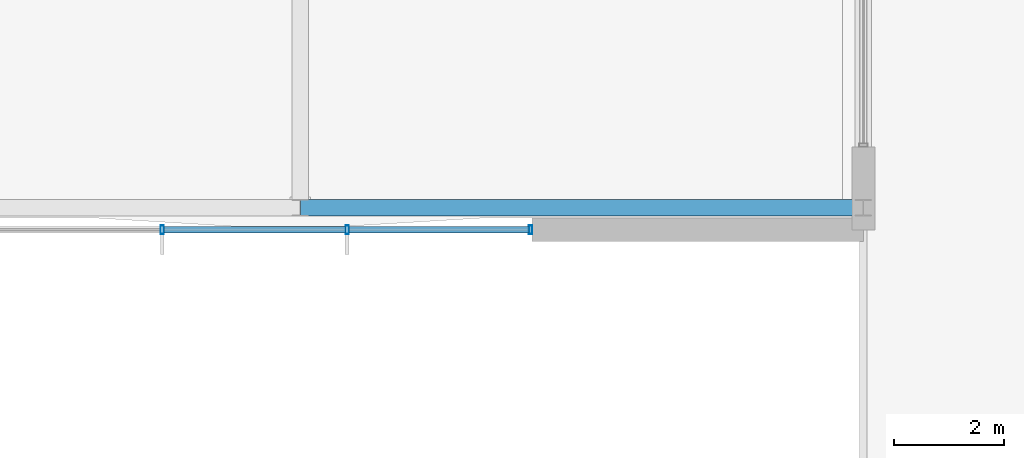
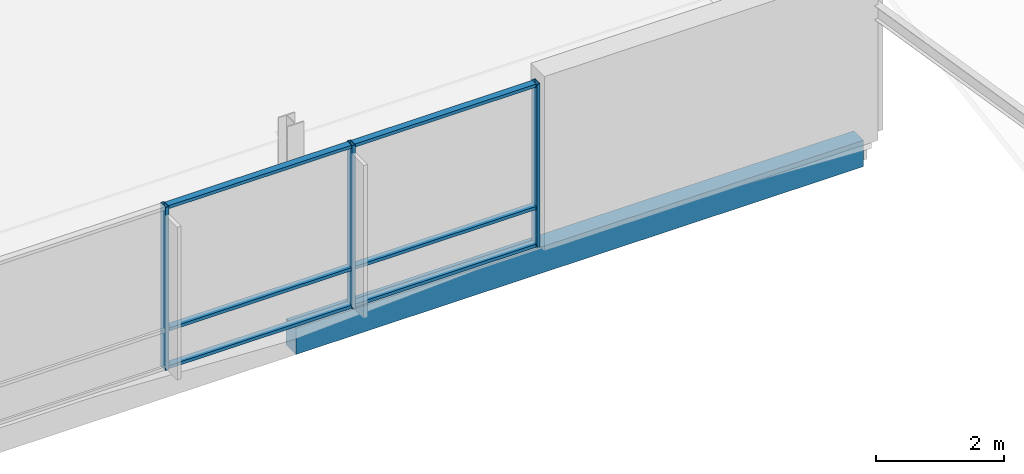
# One storey, part 91 of 189: 9 members, 1 beam, 1 element without a shape of its own.
"""IFC4 building model written with IfcOpenShell, lengths in metres."""

from ifc_helpers import new_model, si_unit, direction, frame, origin, origin_2d, place, context, subcontext, project, spatial, rectangle, hollow_rectangle, extrude, material, material_profile, profile_set, type_object, element, aggregate, save


model = new_model("IFC4")

# Units and contexts
model_context = context("Model", 3, precision=1e-05, world=origin(), true_north=direction((0.0, 1.0)))
body_context = subcontext(model_context, "Body", "Model", "MODEL_VIEW")
ifc_project = project(units=[si_unit("LENGTHUNIT", "METRE"), si_unit("AREAUNIT", "SQUARE_METRE"), si_unit("VOLUMEUNIT", "CUBIC_METRE"), si_unit("PLANEANGLEUNIT", "RADIAN"), si_unit("MASSUNIT", "GRAM", prefix="KILO")], contexts=[model_context])

# Site, building, storey
site_placement = place(None, origin())
site = spatial("IfcSite", under=ifc_project, at=site_placement, CompositionType="ELEMENT")
building_placement = place(site_placement, origin())
building = spatial("IfcBuilding", under=site, at=building_placement, Name="Zavelmont Quarter", CompositionType="ELEMENT")
storey_placement = place(building_placement, frame((0.0, 0.0, 4.39990234375)))
storey = spatial("IfcBuildingStorey", under=building, at=storey_placement, Name="L01", CompositionType="ELEMENT", Elevation=4.39990234375)

# Beam
ifc_material_1 = material(Name="Concrete C35/45", Category="concrete")
ifc_material_profile_1 = material_profile(ifc_material_1, rectangle(XDim=0.300048828125, YDim=0.5, at=origin_2d()), Name="RC300X500")
ifc_profile_set_1 = profile_set([ifc_material_profile_1], Name="Concrete C35/45")
beam_type = type_object("IfcBeamType", Name="BM03", PredefinedType="BEAM", material=ifc_profile_set_1)
beam_placement = place(storey_placement, frame((65.800048828125, 102.0, -0.52978515625), z_axis=(1.0, 0.0, 0.0), x_axis=(0.0, 1.0, 0.0)))
element("IfcBeam", 1, at=beam_placement, inside=storey, type_object=beam_type, Name="L01 beam BM03 10/Q to 12/Q", PredefinedType="BEAM", context=body_context, shape_type="SweptSolid", body=[
    extrude(rectangle(XDim=0.300048828125, YDim=0.5, at=origin_2d()), origin(), (0.0, 0.0, 1.0), 10.199951171875),
])

# Curtain wall, members
ifc_material_2 = material(Name="Thermally broken aluminium and double low-E safety glazing", Category="aluminium")
curtain_wall_type = type_object("IfcCurtainWallType", Name="CW-1340X310", PredefinedType="NOTDEFINED", material=ifc_material_2)
curtain_wall_placement = place(storey_placement, origin())
curtain_wall = element("IfcCurtainWall", 2, at=curtain_wall_placement, inside=storey, type_object=curtain_wall_type, Name="L01 unitised curtain wall CW-1340X310", PredefinedType="NOTDEFINED")
ifc_material_3 = material(Name="Powder-coated aluminium EN AW-6063-T6", Category="aluminium")
ifc_material_profile_2 = material_profile(ifc_material_3, hollow_rectangle(XDim=0.06005859375, YDim=0.159912109375, WallThickness=0.00390625, at=origin_2d()), Name="CWM60X160")
ifc_profile_set_2 = profile_set([ifc_material_profile_2], Name="Powder-coated aluminium EN AW-6063-T6")
member_type_1 = type_object("IfcMemberType", Name="CWM01", PredefinedType="MULLION", material=ifc_profile_set_2)
member_1_placement = place(storey_placement, frame((63.300048828125, 101.60009765625, 0.0), z_axis=(0.0, 0.0, 1.0), x_axis=(1.0, 0.0, 0.0)))
member_1 = element("IfcMember", 3, at=member_1_placement, type_object=member_type_1, Name="CW-1340X310 mullion 3", PredefinedType="MULLION", context=body_context, shape_type="SweptSolid", body=[
    extrude(hollow_rectangle(XDim=0.06005859375, YDim=0.159912109375, WallThickness=0.00390625, at=origin_2d()), origin(), (0.0, 0.0, 1.0), 3.10009765625),
])
member_2_placement = place(storey_placement, frame((66.64990234375, 101.60009765625, 0.0), z_axis=(0.0, 0.0, 1.0), x_axis=(1.0, 0.0, 0.0)))
member_2 = element("IfcMember", 4, at=member_2_placement, type_object=member_type_1, Name="CW-1340X310 mullion 4", PredefinedType="MULLION", context=body_context, shape_type="SweptSolid", body=[
    extrude(hollow_rectangle(XDim=0.06005859375, YDim=0.159912109375, WallThickness=0.00390625, at=origin_2d()), origin(), (0.0, 0.0, 1.0), 3.10009765625),
])
member_3_placement = place(storey_placement, frame((69.969970703125, 101.60009765625, 0.0), z_axis=(0.0, 0.0, 1.0), x_axis=(1.0, 0.0, 0.0)))
member_3 = element("IfcMember", 5, at=member_3_placement, type_object=member_type_1, Name="CW-1340X310 mullion 5", PredefinedType="MULLION", context=body_context, shape_type="SweptSolid", body=[
    extrude(hollow_rectangle(XDim=0.06005859375, YDim=0.159912109375, WallThickness=0.00390625, at=origin_2d()), origin(), (0.0, 0.0, 1.0), 3.10009765625),
])
ifc_material_profile_3 = material_profile(ifc_material_3, hollow_rectangle(XDim=0.1201171875, YDim=0.06005859375, WallThickness=0.00390625, at=origin_2d()), Name="CWT60X120")
ifc_profile_set_3 = profile_set([ifc_material_profile_3], Name="Powder-coated aluminium EN AW-6063-T6")
member_type_2 = type_object("IfcMemberType", Name="CWT01", PredefinedType="NOTDEFINED", material=ifc_profile_set_3)
member_4_placement = place(storey_placement, frame((63.330078125, 101.60009765625, 0.030029296875), z_axis=(1.0, 0.0, 0.0), x_axis=(0.0, 1.0, 0.0)))
member_4 = element("IfcMember", 6, at=member_4_placement, type_object=member_type_2, Name="CW-1340X310 transom 3.1", ObjectType="TRANSOM", PredefinedType="USERDEFINED", context=body_context, shape_type="SweptSolid", body=[
    extrude(hollow_rectangle(XDim=0.1201171875, YDim=0.06005859375, WallThickness=0.00390625, at=origin_2d()), origin(), (0.0, 0.0, 1.0), 3.2900390625),
])
member_5_placement = place(storey_placement, frame((63.330078125, 101.60009765625, 0.744140625), z_axis=(1.0, 0.0, 0.0), x_axis=(0.0, 1.0, 0.0)))
member_5 = element("IfcMember", 7, at=member_5_placement, type_object=member_type_2, Name="CW-1340X310 transom 3.2", ObjectType="TRANSOM", PredefinedType="USERDEFINED", context=body_context, shape_type="SweptSolid", body=[
    extrude(hollow_rectangle(XDim=0.1201171875, YDim=0.06005859375, WallThickness=0.00390625, at=origin_2d()), origin(), (0.0, 0.0, 1.0), 3.2900390625),
])
member_6_placement = place(storey_placement, frame((63.330078125, 101.60009765625, 3.070068359375), z_axis=(1.0, 0.0, 0.0), x_axis=(0.0, 1.0, 0.0)))
member_6 = element("IfcMember", 8, at=member_6_placement, type_object=member_type_2, Name="CW-1340X310 transom 3.3", ObjectType="TRANSOM", PredefinedType="USERDEFINED", context=body_context, shape_type="SweptSolid", body=[
    extrude(hollow_rectangle(XDim=0.1201171875, YDim=0.06005859375, WallThickness=0.00390625, at=origin_2d()), origin(), (0.0, 0.0, 1.0), 3.2900390625),
])
member_7_placement = place(storey_placement, frame((66.679931640625, 101.60009765625, 0.030029296875), z_axis=(1.0, 0.0, 0.0), x_axis=(0.0, 1.0, 0.0)))
member_7 = element("IfcMember", 9, at=member_7_placement, type_object=member_type_2, Name="CW-1340X310 transom 4.1", ObjectType="TRANSOM", PredefinedType="USERDEFINED", context=body_context, shape_type="SweptSolid", body=[
    extrude(hollow_rectangle(XDim=0.1201171875, YDim=0.06005859375, WallThickness=0.00390625, at=origin_2d()), origin(), (0.0, 0.0, 1.0), 3.260009765625),
])
member_8_placement = place(storey_placement, frame((66.679931640625, 101.60009765625, 0.744140625), z_axis=(1.0, 0.0, 0.0), x_axis=(0.0, 1.0, 0.0)))
member_8 = element("IfcMember", 10, at=member_8_placement, type_object=member_type_2, Name="CW-1340X310 transom 4.2", ObjectType="TRANSOM", PredefinedType="USERDEFINED", context=body_context, shape_type="SweptSolid", body=[
    extrude(hollow_rectangle(XDim=0.1201171875, YDim=0.06005859375, WallThickness=0.00390625, at=origin_2d()), origin(), (0.0, 0.0, 1.0), 3.260009765625),
])
member_9_placement = place(storey_placement, frame((66.679931640625, 101.60009765625, 3.070068359375), z_axis=(1.0, 0.0, 0.0), x_axis=(0.0, 1.0, 0.0)))
member_9 = element("IfcMember", 11, at=member_9_placement, type_object=member_type_2, Name="CW-1340X310 transom 4.3", ObjectType="TRANSOM", PredefinedType="USERDEFINED", context=body_context, shape_type="SweptSolid", body=[
    extrude(hollow_rectangle(XDim=0.1201171875, YDim=0.06005859375, WallThickness=0.00390625, at=origin_2d()), origin(), (0.0, 0.0, 1.0), 3.260009765625),
])
aggregate(curtain_wall, [member_1, member_2, member_3, member_4, member_5, member_6, member_7, member_8, member_9])

save(model, "model.ifc")
